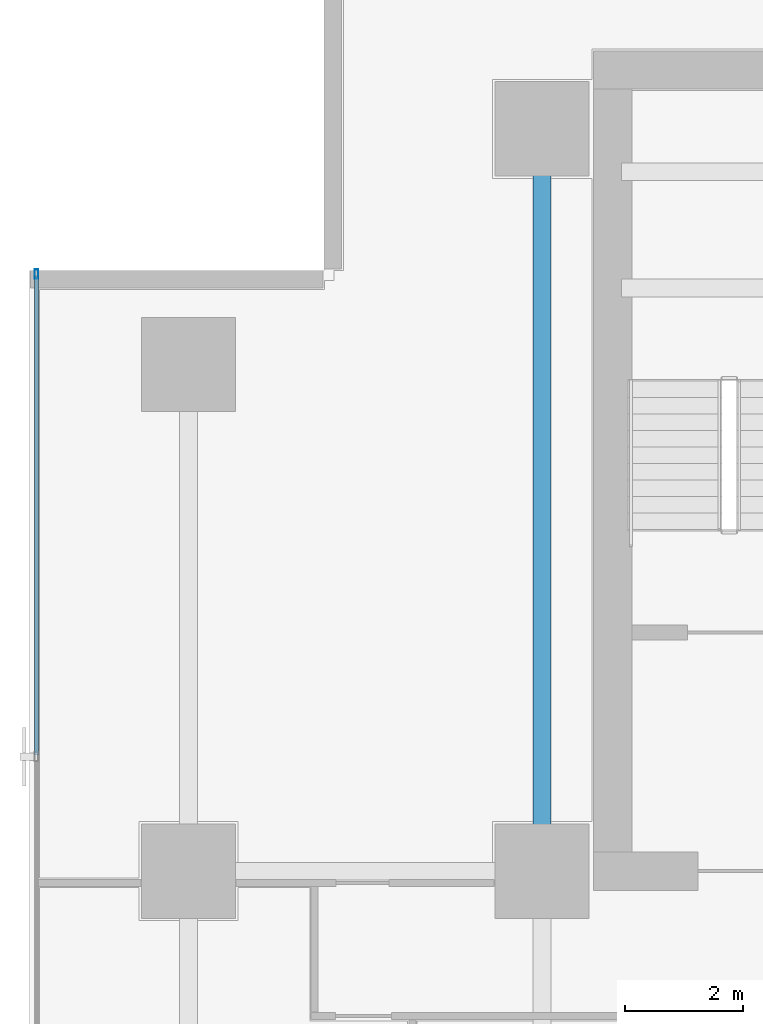
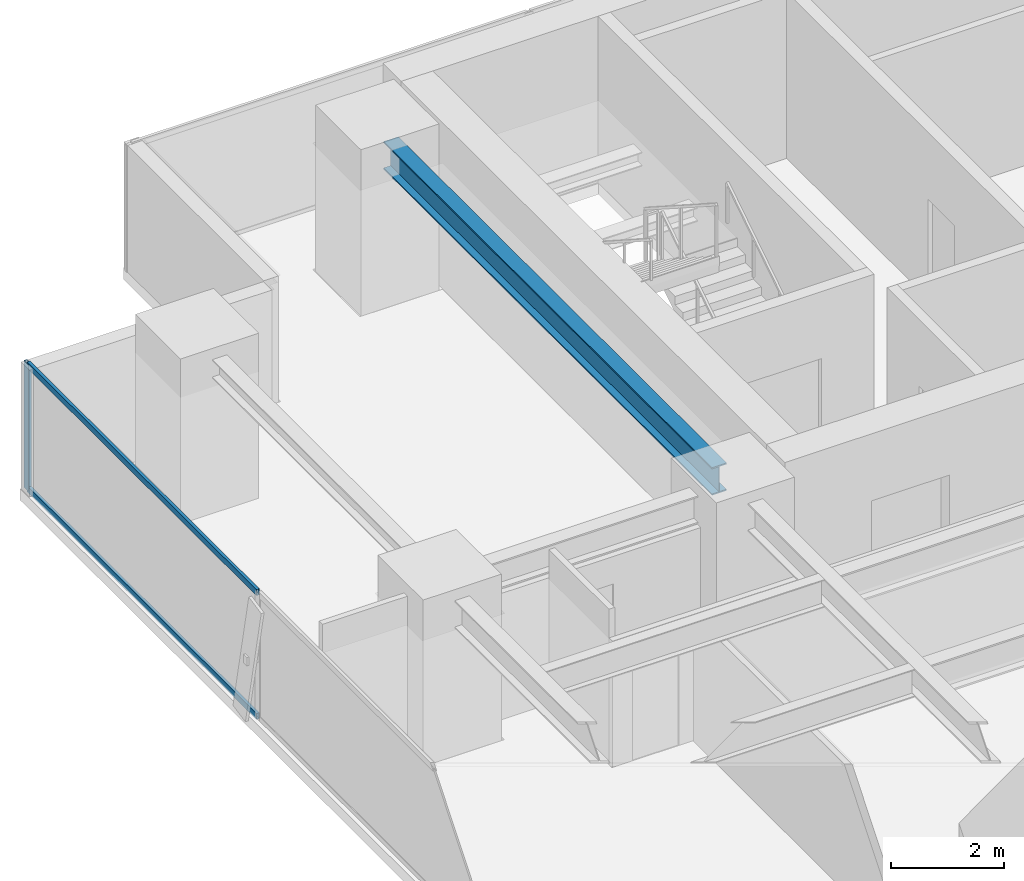
# One storey, part 18 of 36: 3 members, 1 beam, 1 element without a shape of its own.
"""IFC4 building model written with IfcOpenShell, lengths in metres."""

from ifc_helpers import new_model, si_unit, direction, frame, origin, origin_2d, place, context, subcontext, project, spatial, hollow_rectangle, i_section, extrude, source, transform, mapped, material, layer, layer_set, material_profile, profile_set, type_object, element, aggregate, save


model = new_model("IFC4")

# Units and contexts
model_context = context("Model", 3, precision=1e-05, world=origin(), true_north=direction((0.0, 1.0)))
body_context = subcontext(model_context, "Body", "Model", "MODEL_VIEW")
ifc_project = project(units=[si_unit("LENGTHUNIT", "METRE"), si_unit("AREAUNIT", "SQUARE_METRE"), si_unit("VOLUMEUNIT", "CUBIC_METRE"), si_unit("PLANEANGLEUNIT", "RADIAN"), si_unit("MASSUNIT", "GRAM", prefix="KILO")], contexts=[model_context])

# Site, building, storey
site_placement = place(None, origin())
site = spatial("IfcSite", under=ifc_project, at=site_placement, CompositionType="ELEMENT")
building_placement = place(site_placement, origin())
building = spatial("IfcBuilding", under=site, at=building_placement, Name="Sumidabori Civic Tower", CompositionType="ELEMENT")
storey_placement = place(building_placement, frame((0.0, 0.0, 84.800048828125)))
storey = spatial("IfcBuildingStorey", under=building, at=storey_placement, Name="L21", CompositionType="ELEMENT", Elevation=84.800048828125)

# Beam
ifc_material_1 = material(Name="Steel SN490", Category="steel")
ifc_material_profile_1 = material_profile(ifc_material_1, i_section(OverallWidth=0.300048828125, OverallDepth=0.60009765625, WebThickness=0.015380859375, FlangeThickness=0.030029296875, at=origin_2d()), Name="HE 600 B")
ifc_profile_set_1 = profile_set([ifc_material_profile_1], Name="Steel SN490")
beam_type = type_object("IfcBeamType", Name="BM-GIRD-600", PredefinedType="BEAM", material=ifc_profile_set_1)
shared_shape_1 = source(origin(), body_context, "Body", "SweptSolid", [
    extrude(i_section(OverallWidth=0.300048828125, OverallDepth=0.60009765625, WebThickness=0.015380859375, FlangeThickness=0.030029296875, at=origin_2d()), origin(), (0.0, 0.0, 1.0), 11.64013671875),
])
beam_placement = place(storey_placement, frame((-16.800048828125, 10.679931640625, 3.06005859375), z_axis=(0.0, 1.0, 0.0), x_axis=(-1.0, 0.0, 0.0)))
element("IfcBeam", 1, at=beam_placement, inside=storey, type_object=beam_type, Name="Primary Girder L21 GY-28", PredefinedType="BEAM", context=body_context, shape_type="MappedRepresentation", body=[
    mapped(shared_shape_1, transform((0.0, 0.0, 0.0), x_axis=(1.0, 0.0, 0.0), y_axis=(0.0, 1.0, 0.0), z_axis=(0.0, 0.0, 1.0), scale=1.0)),
])

# Curtain wall, members
ifc_material_2 = material(Name="Anodised Bronze Aluminium AW-6063-T6", Category="aluminium")
ifc_layer = layer(ifc_material_2, 0.179931640625, Name="Anodised Bronze Aluminium AW-6063-T6")
ifc_layer_set = layer_set([ifc_layer], Name="Anodised Bronze Aluminium AW-6063-T6")
curtain_wall_type = type_object("IfcCurtainWallType", Name="CW-SYS-3", PredefinedType="NOTDEFINED", material=ifc_layer_set)
curtain_wall_placement = place(storey_placement, origin())
curtain_wall = element("IfcCurtainWall", 2, at=curtain_wall_placement, inside=storey, type_object=curtain_wall_type, Name="Curtain Wall CW:L21:R10", PredefinedType="NOTDEFINED")
ifc_material_profile_2 = material_profile(ifc_material_2, hollow_rectangle(XDim=0.06494140625, YDim=0.159912109375, WallThickness=0.0048828125, at=origin_2d()), Name="ALU MULLION 160x65")
ifc_profile_set_2 = profile_set([ifc_material_profile_2], Name="Anodised Bronze Aluminium AW-6063-T6")
member_type_1 = type_object("IfcMemberType", Name="CW-MUL-160", PredefinedType="MULLION", material=ifc_profile_set_2)
shared_shape_2 = source(origin(), body_context, "Body", "SweptSolid", [
    extrude(hollow_rectangle(XDim=0.06494140625, YDim=0.159912109375, WallThickness=0.0048828125, at=origin_2d()), origin(), (0.0, 0.0, 1.0), 2.739990234375),
])
member_1_placement = place(storey_placement, frame((-25.3798828125, 20.33740234375, 0.0), z_axis=(0.0, 0.0, 1.0), x_axis=(1.0, 0.0, 0.0)))
member_1 = element("IfcMember", 3, at=member_1_placement, type_object=member_type_1, Name="CW-3 mullion 1", PredefinedType="MULLION", context=body_context, shape_type="MappedRepresentation", body=[
    mapped(shared_shape_2, transform((0.0, 0.0, 0.0), x_axis=(1.0, 0.0, 0.0), y_axis=(0.0, 1.0, 0.0), z_axis=(0.0, 0.0, 1.0), scale=1.0)),
])
ifc_material_profile_3 = material_profile(ifc_material_2, hollow_rectangle(XDim=0.06005859375, YDim=0.1298828125, WallThickness=0.0048828125, at=origin_2d()), Name="ALU TRANSOM 130x60")
ifc_profile_set_3 = profile_set([ifc_material_profile_3], Name="Anodised Bronze Aluminium AW-6063-T6")
member_type_2 = type_object("IfcMemberType", Name="CW-TRN-130", PredefinedType="USERDEFINED", material=ifc_profile_set_3)
shared_shape_3 = source(origin(), body_context, "Body", "SweptSolid", [
    extrude(hollow_rectangle(XDim=0.06005859375, YDim=0.1298828125, WallThickness=0.0048828125, at=origin_2d()), origin(), (0.0, 0.0, 1.0), 8.13037109375),
])
member_2_placement = place(storey_placement, frame((-25.3798828125, 20.304931640625, 0.030029296875), z_axis=(0.0, -1.0, 0.0), x_axis=(1.0, 0.0, 0.0)))
member_2 = element("IfcMember", 4, at=member_2_placement, type_object=member_type_2, Name="CW-3 transom 1.1", ObjectType="TRANSOM", PredefinedType="USERDEFINED", context=body_context, shape_type="MappedRepresentation", body=[
    mapped(shared_shape_3, transform((0.0, 0.0, 0.0), x_axis=(1.0, 0.0, 0.0), y_axis=(0.0, 1.0, 0.0), z_axis=(0.0, 0.0, 1.0), scale=1.0)),
])
member_3_placement = place(storey_placement, frame((-25.3798828125, 20.304931640625, 2.7099609375), z_axis=(0.0, -1.0, 0.0), x_axis=(1.0, 0.0, 0.0)))
member_3 = element("IfcMember", 5, at=member_3_placement, type_object=member_type_2, Name="CW-3 transom 1.2", ObjectType="TRANSOM", PredefinedType="USERDEFINED", context=body_context, shape_type="MappedRepresentation", body=[
    mapped(shared_shape_3, transform((0.0, 0.0, 0.0), x_axis=(1.0, 0.0, 0.0), y_axis=(0.0, 1.0, 0.0), z_axis=(0.0, 0.0, 1.0), scale=1.0)),
])
aggregate(curtain_wall, [member_1, member_2, member_3])

save(model, "model.ifc")
